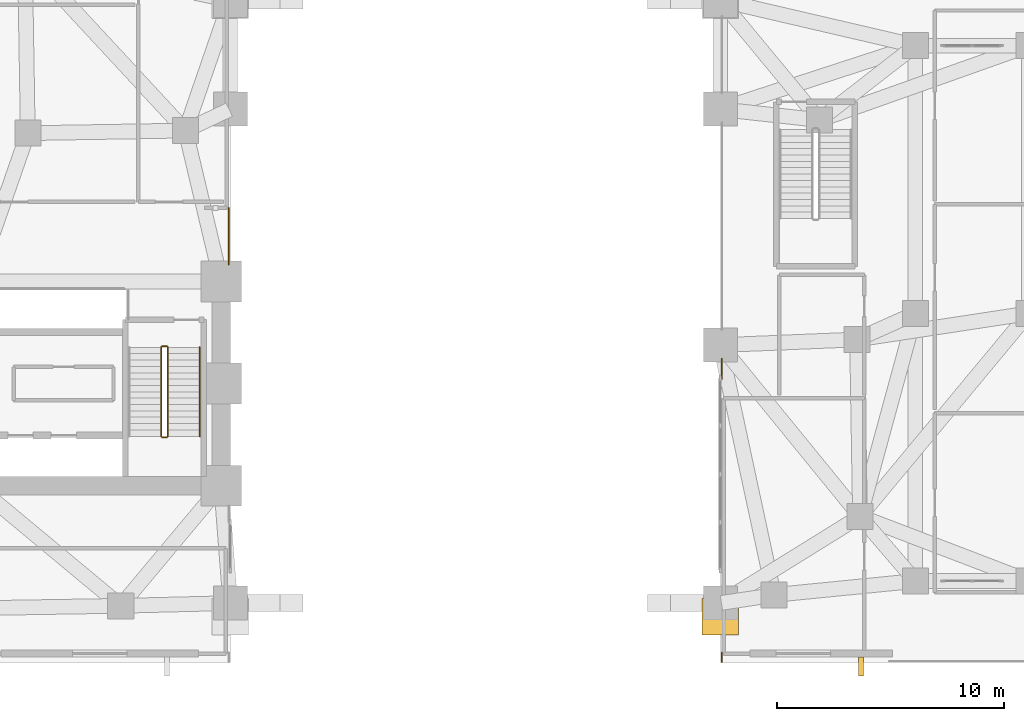
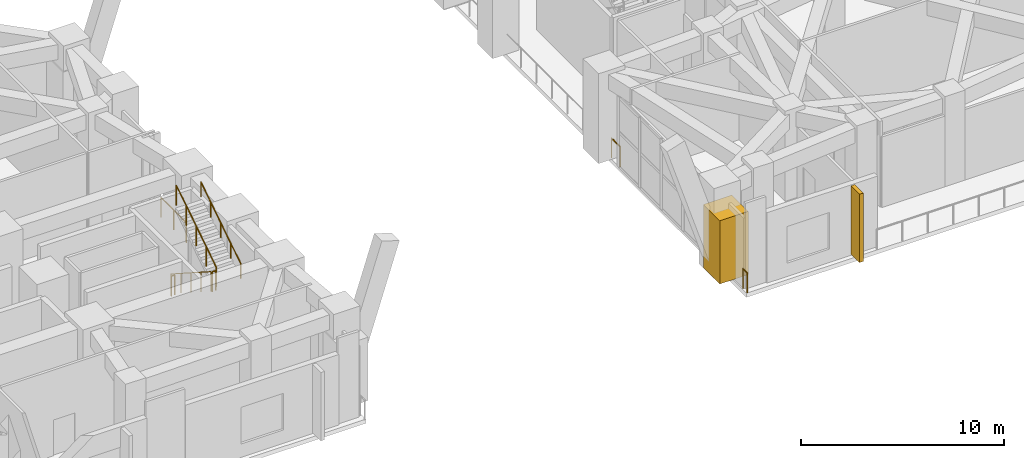
# One storey, part 15 of 18: 8 railings, 1 covering, 1 shading device.
"""IFC4 building model written with IfcOpenShell, lengths in metres."""

from ifc_helpers import new_model, si_unit, direction, frame, origin, origin_2d, place, context, subcontext, project, spatial, rectangle, circle, extrude, material, layer, layer_set, type_object, element, save


model = new_model("IFC4")

# Units and contexts
model_context = context("Model", 3, precision=1e-05, world=origin(), true_north=direction((0.0, 1.0)))
body_context = subcontext(model_context, "Body", "Model", "MODEL_VIEW")
ifc_project = project(units=[si_unit("LENGTHUNIT", "METRE"), si_unit("AREAUNIT", "SQUARE_METRE"), si_unit("VOLUMEUNIT", "CUBIC_METRE"), si_unit("PLANEANGLEUNIT", "RADIAN"), si_unit("MASSUNIT", "GRAM", prefix="KILO")], contexts=[model_context])

# Site, building, storey
site_placement = place(None, origin())
site = spatial("IfcSite", under=ifc_project, at=site_placement, CompositionType="ELEMENT")
building_placement = place(site_placement, origin())
building = spatial("IfcBuilding", under=site, at=building_placement, Name="Gaonmaruhae Medical Tower", CompositionType="ELEMENT")
storey_placement = place(building_placement, frame((0.0, 0.0, 5.39990234375)))
storey = spatial("IfcBuildingStorey", under=building, at=storey_placement, Name="L01", CompositionType="ELEMENT", Elevation=5.39990234375)

# Covering
ifc_material_1 = material(Name="Architectural precast column cladding", Category="concrete")
ifc_layer_1 = layer(ifc_material_1, 0.06005859375)
ifc_layer_set_1 = layer_set([ifc_layer_1], Name="Architectural precast column cladding")
covering_type = type_object("IfcCoveringType", Name="CLD-01 Architectural Precast Pier Cladding", PredefinedType="CLADDING", material=ifc_layer_set_1)
covering_placement = place(storey_placement, frame((57.60009765625, 2.02001953125, 0.10009765625), z_axis=(0.0, 0.0, 1.0), x_axis=(1.0, 0.0, 0.0)))
element("IfcCovering", 1, at=covering_placement, inside=storey, type_object=covering_type, Name="L01 Architectural Precast Column Cladding 2", PredefinedType="CLADDING", context=body_context, shape_type="SweptSolid", body=[
    extrude(rectangle(XDim=1.6201171875, YDim=1.6201171875, at=origin_2d()), origin(), (0.0, 0.0, 1.0), 3.800048828125),
])

# Railings
ifc_material_2 = material(Name="Stainless steel 316L and laminated safety glass", Category="steel")
ifc_layer_2 = layer(ifc_material_2, 0.080078125)
ifc_layer_set_2 = layer_set([ifc_layer_2], Name="Stainless steel 316L and laminated safety glass")
railing_type_1 = type_object("IfcRailingType", Name="GD-120 Outdoor Terrace Safety Glass & Steel Balustrade", PredefinedType="BALUSTRADE", material=ifc_layer_set_2)
railing_1_placement = place(storey_placement, frame((35.929931640625, 20.046875, 0.0)))
element("IfcRailing", 2, at=railing_1_placement, inside=storey, type_object=railing_type_1, Name="L01 Perimeter Slab Edge Safety Balustrade 13", PredefinedType="BALUSTRADE", context=body_context, shape_type="SweptSolid", body=[
    extrude(circle(Radius=0.02392578125, at=origin_2d()), frame((0.0, 0.0, 1.17578125), z_axis=(0.0, -1.0, 0.0), x_axis=(1.0, 0.0, 0.0)), (0.0, 0.0, 1.0), 2.49853515625),
    extrude(circle(Radius=0.02099609375, at=origin_2d()), origin(), (0.0, 0.0, 1.0), 1.15185546875),
    extrude(circle(Radius=0.02099609375, at=origin_2d()), frame((0.0, -1.249267578125, 0.0)), (0.0, 0.0, 1.0), 1.15185546875),
    extrude(circle(Radius=0.02099609375, at=origin_2d()), frame((0.0, -2.49853515625, 0.0)), (0.0, 0.0, 1.0), 1.15185546875),
])
railing_2_placement = place(storey_placement, frame((57.669921875, 0.02001953125, 0.0)))
element("IfcRailing", 3, at=railing_2_placement, inside=storey, type_object=railing_type_1, Name="L01 Perimeter Slab Edge Safety Balustrade 32", PredefinedType="BALUSTRADE", context=body_context, shape_type="SweptSolid", body=[
    extrude(circle(Radius=0.02392578125, at=origin_2d()), frame((0.0, 0.0, 1.17578125), z_axis=(0.0, 1.0, 0.0), x_axis=(-1.0, 0.0, 0.0)), (0.0, 0.0, 1.0), 0.419677734375),
    extrude(circle(Radius=0.02099609375, at=origin_2d()), origin(), (0.0, 0.0, 1.0), 1.15185546875),
    extrude(circle(Radius=0.02099609375, at=origin_2d()), frame((0.0, 0.419677734375, 0.0)), (0.0, 0.0, 1.0), 1.15185546875),
])
railing_3_placement = place(storey_placement, frame((57.669921875, 12.51171875, 0.0)))
element("IfcRailing", 4, at=railing_3_placement, inside=storey, type_object=railing_type_1, Name="L01 Perimeter Slab Edge Safety Balustrade 33", PredefinedType="BALUSTRADE", context=body_context, shape_type="SweptSolid", body=[
    extrude(circle(Radius=0.02392578125, at=origin_2d()), frame((0.0, 0.0, 1.17578125), z_axis=(0.0, 1.0, 0.0), x_axis=(-1.0, 0.0, 0.0)), (0.0, 0.0, 1.0), 0.87939453125),
    extrude(circle(Radius=0.02099609375, at=origin_2d()), origin(), (0.0, 0.0, 1.0), 1.15185546875),
    extrude(circle(Radius=0.02099609375, at=origin_2d()), frame((0.0, 0.87939453125, 0.0)), (0.0, 0.0, 1.0), 1.15185546875),
])
ifc_material_3 = material(Name="Stainless steel 304 handrail", Category="steel")
railing_type_2 = type_object("IfcRailingType", Name="HR-092 Continuous Stainless Steel Stair Handrail", PredefinedType="HANDRAIL", material=ifc_material_3)
railing_4_placement = place(storey_placement, frame((34.64990234375, 9.97998046875, 2.880126953125)))
element("IfcRailing", 5, at=railing_4_placement, inside=storey, type_object=railing_type_2, Name="L01 ST-02 stair handrail 2", PredefinedType="HANDRAIL", context=body_context, shape_type="SweptSolid", body=[
    extrude(circle(Radius=0.02392578125, at=origin_2d()), frame((0.0, 0.0, 0.8759765625), z_axis=(0.0, 0.841171666519, 0.540768182723), x_axis=(-1.0, 0.0, 0.0)), (0.0, 0.0, 1.0), 4.66015625),
    extrude(circle(Radius=0.02099609375, at=origin_2d()), origin(), (0.0, 0.0, 1.0), 0.851806640625),
    extrude(circle(Radius=0.02099609375, at=origin_2d()), frame((0.0, 0.97998046875, 0.6298828125)), (0.0, 0.0, 1.0), 0.851806640625),
    extrude(circle(Radius=0.02099609375, at=origin_2d()), frame((0.0, 1.9599609375, 1.260009765625)), (0.0, 0.0, 1.0), 0.851806640625),
    extrude(circle(Radius=0.02099609375, at=origin_2d()), frame((0.0, 2.93994140625, 1.89013671875)), (0.0, 0.0, 1.0), 0.851806640625),
    extrude(circle(Radius=0.02099609375, at=origin_2d()), frame((0.0, 3.919921875, 2.52001953125)), (0.0, 0.0, 1.0), 0.851806640625),
])

# Shading device
ifc_material_4 = material(Name="Pigmented coral precast concrete C45/55", Category="concrete")
shading_device_type = type_object("IfcShadingDeviceType", Name="SD-FIN2 Podium Vertical Coral Precast Shading Fin", PredefinedType="USERDEFINED", material=ifc_material_4)
shading_device_placement = place(storey_placement, frame((63.800048828125, -0.1650390625, 0.06494140625), z_axis=(0.0, 0.0, 1.0), x_axis=(-1.0, 0.0, 0.0)))
element("IfcShadingDevice", 6, at=shading_device_placement, inside=storey, type_object=shading_device_type, Name="L01 Podium Coral Precast Shading Fin PB-S4", ObjectType="FIN", PredefinedType="USERDEFINED", context=body_context, shape_type="SweptSolid", body=[
    extrude(rectangle(XDim=0.219970703125, YDim=0.85009765625, at=origin_2d()), origin(), (0.0, 0.0, 1.0), 4.10009765625),
])

# Railings
ifc_material_5 = material(Name="Stainless steel 304 balustrade", Category="steel")
railing_type_3 = type_object("IfcRailingType", Name="SG-112 Stair Well & Ramp Void Safety Balustrade", PredefinedType="BALUSTRADE", material=ifc_material_5)
railing_5_placement = place(storey_placement, frame((32.949951171875, 13.89990234375, 0.18017578125)))
element("IfcRailing", 7, at=railing_5_placement, inside=storey, type_object=railing_type_3, Name="L01 ST-02 stair guard 1", PredefinedType="BALUSTRADE", context=body_context, shape_type="SweptSolid", body=[
    extrude(circle(Radius=0.02392578125, at=origin_2d()), frame((0.0, 0.0, 1.17578125), z_axis=(0.0, -0.841171666519, 0.540768182723), x_axis=(1.0, 0.0, 0.0)), (0.0, 0.0, 1.0), 4.66015625),
    extrude(circle(Radius=0.02099609375, at=origin_2d()), origin(), (0.0, 0.0, 1.0), 1.15185546875),
    extrude(circle(Radius=0.02099609375, at=origin_2d()), frame((0.0, -0.97998046875, 0.6298828125)), (0.0, 0.0, 1.0), 1.15185546875),
    extrude(circle(Radius=0.02099609375, at=origin_2d()), frame((0.0, -1.9599609375, 1.260009765625)), (0.0, 0.0, 1.0), 1.15185546875),
    extrude(circle(Radius=0.02099609375, at=origin_2d()), frame((0.0, -2.93994140625, 1.89013671875)), (0.0, 0.0, 1.0), 1.15185546875),
    extrude(circle(Radius=0.02099609375, at=origin_2d()), frame((0.0, -3.919921875, 2.52001953125)), (0.0, 0.0, 1.0), 1.15185546875),
])
railing_6_placement = place(storey_placement, frame((33.0, 9.929931640625, 2.7001953125)))
element("IfcRailing", 8, at=railing_6_placement, inside=storey, type_object=railing_type_3, Name="L01 ST-02 stair guard 2", PredefinedType="BALUSTRADE", context=body_context, shape_type="SweptSolid", body=[
    extrude(circle(Radius=0.02392578125, at=origin_2d()), frame((0.0, 0.0, 1.17578125), z_axis=(1.0, 0.0, 0.0), x_axis=(0.0, 1.0, 0.0)), (0.0, 0.0, 1.0), 0.199951171875),
    extrude(circle(Radius=0.02099609375, at=origin_2d()), origin(), (0.0, 0.0, 1.0), 1.15185546875),
    extrude(circle(Radius=0.02099609375, at=origin_2d()), frame((0.199951171875, 0.0, 0.0)), (0.0, 0.0, 1.0), 1.15185546875),
])
railing_7_placement = place(storey_placement, frame((33.25, 9.97998046875, 2.880126953125)))
element("IfcRailing", 9, at=railing_7_placement, inside=storey, type_object=railing_type_3, Name="L01 ST-02 stair guard 3", PredefinedType="BALUSTRADE", context=body_context, shape_type="SweptSolid", body=[
    extrude(circle(Radius=0.02392578125, at=origin_2d()), frame((0.0, 0.0, 1.17578125), z_axis=(0.0, 0.841171666519, 0.540768182723), x_axis=(-1.0, 0.0, 0.0)), (0.0, 0.0, 1.0), 4.66015625),
    extrude(circle(Radius=0.02099609375, at=origin_2d()), origin(), (0.0, 0.0, 1.0), 1.15185546875),
    extrude(circle(Radius=0.02099609375, at=origin_2d()), frame((0.0, 0.97998046875, 0.6298828125)), (0.0, 0.0, 1.0), 1.15185546875),
    extrude(circle(Radius=0.02099609375, at=origin_2d()), frame((0.0, 1.9599609375, 1.260009765625)), (0.0, 0.0, 1.0), 1.15185546875),
    extrude(circle(Radius=0.02099609375, at=origin_2d()), frame((0.0, 2.93994140625, 1.89013671875)), (0.0, 0.0, 1.0), 1.15185546875),
    extrude(circle(Radius=0.02099609375, at=origin_2d()), frame((0.0, 3.919921875, 2.52001953125)), (0.0, 0.0, 1.0), 1.15185546875),
])
railing_8_placement = place(storey_placement, frame((33.0, 13.949951171875, 0.0)))
element("IfcRailing", 10, at=railing_8_placement, inside=storey, type_object=railing_type_3, Name="L01 ST-02 stair guard 4", PredefinedType="BALUSTRADE", context=body_context, shape_type="SweptSolid", body=[
    extrude(circle(Radius=0.02392578125, at=origin_2d()), frame((0.0, 0.0, 1.17578125), z_axis=(1.0, 0.0, 0.0), x_axis=(0.0, 1.0, 0.0)), (0.0, 0.0, 1.0), 0.199951171875),
    extrude(circle(Radius=0.02099609375, at=origin_2d()), origin(), (0.0, 0.0, 1.0), 1.15185546875),
    extrude(circle(Radius=0.02099609375, at=origin_2d()), frame((0.199951171875, 0.0, 0.0)), (0.0, 0.0, 1.0), 1.15185546875),
])

save(model, "model.ifc")
